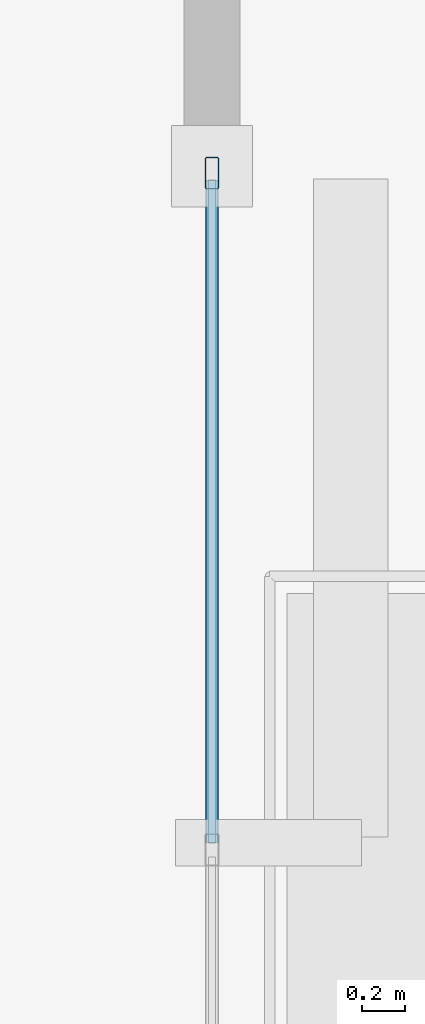
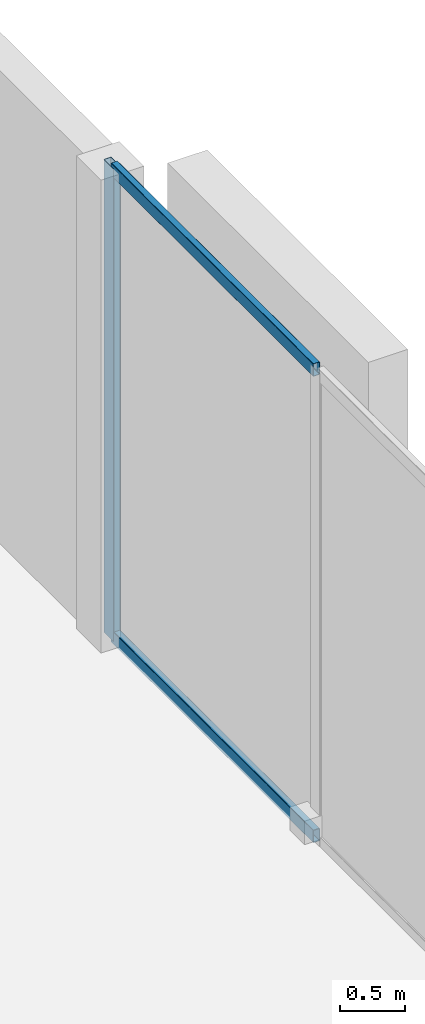
# One storey, part 7 of 16: 3 members, 1 element without a shape of its own.
"""IFC4 building model written with IfcOpenShell, lengths in metres."""

import ifcopenshell
import ifcopenshell.guid

model = None  # the IFC model being written
_history = None  # IfcOwnerHistory: only IFC2X3 demands one
_inside = {}  # id of a spatial element -> (the spatial element, [elements in it])
_under = {}  # id of a project, library or spatial element -> (it, [spatial elements below it])
_declared = {}  # id of a project -> (the project, [libraries it declares])
_typed = {}  # id of a type object -> (the type object, [elements of that type])
_made_of = {}  # id of a material, layer set ... -> (it, [elements and type objects made of it])


def new_model(schema):
    """Start an empty IFC model of exactly this schema.

    Asked for "IFC4X3", IfcOpenShell would pick the latest addendum, in which some entities
    have other attributes; the version numbers below select the first issue.
    IFC2X3 requires an IfcOwnerHistory on every rooted entity: one is made here for all.
    """
    global model, _history
    if schema == "IFC4X3":
        model = ifcopenshell.file(schema_version=(4, 3, 0, 0))
    else:
        model = ifcopenshell.file(schema=schema)
    _inside.clear()
    _under.clear()
    _declared.clear()
    _typed.clear()
    _made_of.clear()
    _history = None
    if model.schema == "IFC2X3":
        org = make("IfcOrganization", Name="unknown")
        user = make(
            "IfcPersonAndOrganization",
            ThePerson=make("IfcPerson", FamilyName="unknown"),
            TheOrganization=org,
        )
        app = make(
            "IfcApplication",
            ApplicationDeveloper=org,
            Version="unknown",
            ApplicationFullName="unknown",
            ApplicationIdentifier="unknown",
        )
        _history = make(
            "IfcOwnerHistory",
            OwningUser=user,
            OwningApplication=app,
            ChangeAction="ADDED",
            CreationDate=0,
        )
    return model


def make(cls, **values):
    """One entity of the class cls with the attributes given. An attribute that is None is left unset."""
    return model.create_entity(
        cls, **{name: value for name, value in values.items() if value is not None}
    )


def rooted(cls, **values):
    """An entity with a GlobalId (a new one), such as an element, a storey or a relation."""
    return make(cls, GlobalId=ifcopenshell.guid.new(), OwnerHistory=_history, **values)


def si_unit(unit_type, name, prefix=None):
    """IfcSIUnit, for example si_unit("LENGTHUNIT", "METRE", prefix="MILLI")."""
    return make("IfcSIUnit", UnitType=unit_type, Prefix=prefix, Name=name)


def assignment(units):
    """IfcUnitAssignment: the units of a project."""
    return None if units is None else make("IfcUnitAssignment", Units=units)


def point(xyz):
    """IfcCartesianPoint."""
    return None if xyz is None else make("IfcCartesianPoint", Coordinates=xyz)


def direction(xyz):
    """IfcDirection."""
    return None if xyz is None else make("IfcDirection", DirectionRatios=xyz)


def frame(location, z_axis=None, x_axis=None):
    """IfcAxis2Placement3D, a coordinate frame: its origin and axes. An axis left out is left unset."""
    return make(
        "IfcAxis2Placement3D",
        Location=point(location),
        Axis=direction(z_axis),
        RefDirection=direction(x_axis),
    )


def frame_2d(location, x_axis=None):
    """IfcAxis2Placement2D, a coordinate frame in the plane: its origin and x axis."""
    return make(
        "IfcAxis2Placement2D", Location=point(location), RefDirection=direction(x_axis)
    )


def origin():
    """The frame at (0, 0, 0) with its axes left unset."""
    return frame((0.0, 0.0, 0.0))


def origin_2d():
    """The frame at (0, 0) in the plane with its x axis left unset."""
    return frame_2d((0.0, 0.0))


def place(relative_to, where):
    """IfcLocalPlacement: puts the frame where relative to a parent placement (None: the world)."""
    return make(
        "IfcLocalPlacement", PlacementRelTo=relative_to, RelativePlacement=where
    )


def context(
    kind, dimensions, precision=None, world=None, true_north=None, identifier=None
):
    """IfcGeometricRepresentationContext, for example the 3D "Model" context."""
    return make(
        "IfcGeometricRepresentationContext",
        ContextIdentifier=identifier,
        ContextType=kind,
        CoordinateSpaceDimension=dimensions,
        Precision=precision,
        WorldCoordinateSystem=world,
        TrueNorth=true_north,
    )


def subcontext(parent, identifier, kind, view, scale=None):
    """IfcGeometricRepresentationSubContext, for example "Body" below "Model"."""
    return make(
        "IfcGeometricRepresentationSubContext",
        ContextIdentifier=identifier,
        ContextType=kind,
        ParentContext=parent,
        TargetScale=scale,
        TargetView=view,
    )


def project(units=None, contexts=None):
    """IfcProject with its units and contexts."""
    return rooted(
        "IfcProject",
        Name="project",
        RepresentationContexts=contexts,
        UnitsInContext=assignment(units),
    )


def spatial(cls, under=None, at=None, **own):
    """A site, building, storey or space (cls), placed at a placement, below another one or the project."""
    s = rooted(cls, ObjectPlacement=at, **own)
    if under is not None:
        _under.setdefault(under.id(), (under, []))[1].append(s)
    return s


def profile(cls, at=None, kind="AREA", **sizes):
    """A parametric profile (cls). Its sizes go by their IFC names, for example OverallWidth=200.0."""
    return make(cls, ProfileType=kind, Position=at, **sizes)


def hollow_rectangle(**sizes):
    """IfcRectangleHollowProfileDef."""
    return profile("IfcRectangleHollowProfileDef", **sizes)


def extrude(swept, where, along, depth):
    """IfcExtrudedAreaSolid: the profile swept, set in the frame where, extruded along a direction by depth."""
    return make(
        "IfcExtrudedAreaSolid",
        SweptArea=swept,
        Position=where,
        ExtrudedDirection=direction(along),
        Depth=depth,
    )


def shape(context_of_items, identifier, shape_type, items):
    """IfcShapeRepresentation: the items that make up one representation, for example the "Body"."""
    return make(
        "IfcShapeRepresentation",
        ContextOfItems=context_of_items,
        RepresentationIdentifier=identifier,
        RepresentationType=shape_type,
        Items=items,
    )


def material(Name=None, Category=None):
    """IfcMaterial."""
    return make("IfcMaterial", Name=Name, Category=Category)


def layer(
    of_material, thickness, ventilated=None, Name=None, Category=None, Priority=None
):
    """IfcMaterialLayer: one layer of a wall or slab, of a material (None: an air gap)."""
    return make(
        "IfcMaterialLayer",
        Material=of_material,
        LayerThickness=thickness,
        IsVentilated=ventilated,
        Name=Name,
        Category=Category,
        Priority=Priority,
    )


def layer_set(layers, Name=None):
    """IfcMaterialLayerSet."""
    return make("IfcMaterialLayerSet", MaterialLayers=layers, LayerSetName=Name)


def material_profile(
    of_material, cross_section, Name=None, Category=None, Priority=None
):
    """IfcMaterialProfile: a cross section and its material."""
    return make(
        "IfcMaterialProfile",
        Name=Name,
        Material=of_material,
        Profile=cross_section,
        Priority=Priority,
        Category=Category,
    )


def profile_set(profiles, Name=None, composite=None):
    """IfcMaterialProfileSet."""
    return make(
        "IfcMaterialProfileSet",
        Name=Name,
        MaterialProfiles=profiles,
        CompositeProfile=composite,
    )


def made_of(thing, what):
    """Note that an element or type object is made of a material, layer set ...; save() writes the relation."""
    if what is not None:
        _made_of.setdefault(what.id(), (what, []))[1].append(thing)
    return thing


def type_object(cls, material=None, **own):
    """A type object (cls), such as IfcWallType, which elements share."""
    return made_of(rooted(cls, **own), material)


def element(
    cls,
    number,
    at=None,
    inside=None,
    cuts=None,
    type_object=None,
    material=None,
    context=None,
    identifier="Body",
    shape_type=None,
    held_by="IfcProductDefinitionShape",
    body=None,
    shapes=None,
    **own,
):
    """One element of the class cls, such as IfcWall. Its Tag is "e" and its number.

    at: its placement. inside: the storey or other place that contains it. cuts: it is an
    opening in that element (IfcRelVoidsElement). A single representation is given by context,
    identifier, shape_type and body (its items); several are given by shapes. held_by: the class
    of the entity that holds the representations. save() writes the other relations.
    """
    e = rooted(cls, Tag="e%d" % number, ObjectPlacement=at, **own)
    if body is not None:
        shapes = [shape(context, identifier, shape_type, body)]
    if shapes is not None:
        e.Representation = make(held_by, Representations=shapes)
    if inside is not None:
        _inside.setdefault(inside.id(), (inside, []))[1].append(e)
    if cuts is not None:
        rooted(
            "IfcRelVoidsElement", RelatingBuildingElement=cuts, RelatedOpeningElement=e
        )
    if type_object is not None:
        _typed.setdefault(type_object.id(), (type_object, []))[1].append(e)
    return made_of(e, material)


def aggregate(whole, parts):
    """IfcRelAggregates: a whole, such as a stair, and the parts it consists of."""
    return rooted("IfcRelAggregates", RelatingObject=whole, RelatedObjects=parts)


def save(model, path):
    """Write the relations noted so far, then the file.

    IfcRelAggregates (storeys below a building ...), IfcRelContainedInSpatialStructure (elements
    in a storey), IfcRelDefinesByType, IfcRelAssociatesMaterial and IfcRelDeclares: one each for
    every whole, place, type object, material and project.
    """
    for whole, parts in _under.values():
        aggregate(whole, parts)
    for where, things in _inside.values():
        rooted(
            "IfcRelContainedInSpatialStructure",
            RelatedElements=things,
            RelatingStructure=where,
        )
    for kind, things in _typed.values():
        rooted("IfcRelDefinesByType", RelatedObjects=things, RelatingType=kind)
    for what, things in _made_of.values():
        rooted("IfcRelAssociatesMaterial", RelatedObjects=things, RelatingMaterial=what)
    for by, libraries in _declared.values():
        rooted("IfcRelDeclares", RelatingContext=by, RelatedDefinitions=libraries)
    model.write(path)


model = new_model("IFC4")

# Units and contexts
model_context = context("Model", 3, precision=1e-05, world=origin(), true_north=direction((0.0, 1.0)))
body_context = subcontext(model_context, "Body", "Model", "MODEL_VIEW")
ifc_project = project(units=[si_unit("LENGTHUNIT", "METRE"), si_unit("AREAUNIT", "SQUARE_METRE"), si_unit("VOLUMEUNIT", "CUBIC_METRE"), si_unit("PLANEANGLEUNIT", "RADIAN"), si_unit("MASSUNIT", "GRAM", prefix="KILO")], contexts=[model_context])

# Site, building, storey
site_placement = place(None, origin())
site = spatial("IfcSite", under=ifc_project, at=site_placement, CompositionType="ELEMENT")
building_placement = place(site_placement, origin())
building = spatial("IfcBuilding", under=site, at=building_placement, Name="An Khanh Terracotta Commons", CompositionType="ELEMENT")
storey_placement = place(building_placement, frame((0.0, 0.0, 10.050048828125)))
storey = spatial("IfcBuildingStorey", under=building, at=storey_placement, Name="L03", CompositionType="ELEMENT", Elevation=10.050048828125)

# Curtain wall, members
ifc_material = material(Name="Anodised Aluminium 6063-T6", Category="aluminium")
ifc_layer = layer(ifc_material, 0.179931640625, Name="Anodised Aluminium 6063-T6")
ifc_layer_set = layer_set([ifc_layer], Name="Anodised Aluminium 6063-T6")
curtain_wall_type = type_object("IfcCurtainWallType", Name="CW-SYS-01", PredefinedType="USERDEFINED", material=ifc_layer_set)
curtain_wall_placement = place(storey_placement, origin())
curtain_wall = element("IfcCurtainWall", 1, at=curtain_wall_placement, inside=storey, type_object=curtain_wall_type, Name="L03 CW-01 Unitised Curtain Wall CW-L03-EAST", ObjectType="UNITISED CURTAIN WALL", PredefinedType="USERDEFINED")
ifc_material_profile_1 = material_profile(ifc_material, hollow_rectangle(XDim=0.06494140625, YDim=0.14990234375, WallThickness=0.00390625, InnerFilletRadius=0.00390625, OuterFilletRadius=0.008056640625, at=origin_2d()), Name="RHS150x65x4")
ifc_profile_set_1 = profile_set([ifc_material_profile_1], Name="Anodised Aluminium 6063-T6")
member_type_1 = type_object("IfcMemberType", Name="CWM-RHS150x65x4", PredefinedType="MULLION", material=ifc_profile_set_1)
member_1_placement = place(storey_placement, frame((69.800048828125, 31.967529296875, 0.0), z_axis=(0.0, 0.0, 1.0), x_axis=(-1.0, 0.0, 0.0)))
member_1 = element("IfcMember", 2, at=member_1_placement, type_object=member_type_1, Name="CW-01 mullion 6", PredefinedType="MULLION", context=body_context, shape_type="SweptSolid", body=[
    extrude(hollow_rectangle(XDim=0.06494140625, YDim=0.14990234375, WallThickness=0.00390625, InnerFilletRadius=0.00390625, OuterFilletRadius=0.008056640625, at=origin_2d()), origin(), (0.0, 0.0, 1.0), 4.429931640625),
])
ifc_material_profile_2 = material_profile(ifc_material, hollow_rectangle(XDim=0.06005859375, YDim=0.1201171875, WallThickness=0.003662109375, InnerFilletRadius=0.003662109375, OuterFilletRadius=0.007080078125, at=origin_2d()), Name="RHS120x60x3.6")
ifc_profile_set_2 = profile_set([ifc_material_profile_2], Name="Anodised Aluminium 6063-T6")
member_type_2 = type_object("IfcMemberType", Name="CWT-RHS120x60x3.6", PredefinedType="USERDEFINED", material=ifc_profile_set_2)
member_2_placement = place(storey_placement, frame((69.800048828125, 28.83251953125, 0.030029296875), z_axis=(0.0, 1.0, 0.0), x_axis=(-1.0, 0.0, 0.0)))
member_2 = element("IfcMember", 3, at=member_2_placement, type_object=member_type_2, Name="CW-01 transom 5.1", ObjectType="TRANSOM", PredefinedType="USERDEFINED", context=body_context, shape_type="SweptSolid", body=[
    extrude(hollow_rectangle(XDim=0.06005859375, YDim=0.1201171875, WallThickness=0.003662109375, InnerFilletRadius=0.003662109375, OuterFilletRadius=0.007080078125, at=origin_2d()), origin(), (0.0, 0.0, 1.0), 3.1025390625),
])
member_3_placement = place(storey_placement, frame((69.800048828125, 28.83251953125, 4.39990234375), z_axis=(0.0, 1.0, 0.0), x_axis=(-1.0, 0.0, 0.0)))
member_3 = element("IfcMember", 4, at=member_3_placement, type_object=member_type_2, Name="CW-01 transom 5.2", ObjectType="TRANSOM", PredefinedType="USERDEFINED", context=body_context, shape_type="SweptSolid", body=[
    extrude(hollow_rectangle(XDim=0.06005859375, YDim=0.1201171875, WallThickness=0.003662109375, InnerFilletRadius=0.003662109375, OuterFilletRadius=0.007080078125, at=origin_2d()), origin(), (0.0, 0.0, 1.0), 3.1025390625),
])
aggregate(curtain_wall, [member_1, member_2, member_3])

save(model, "model.ifc")
